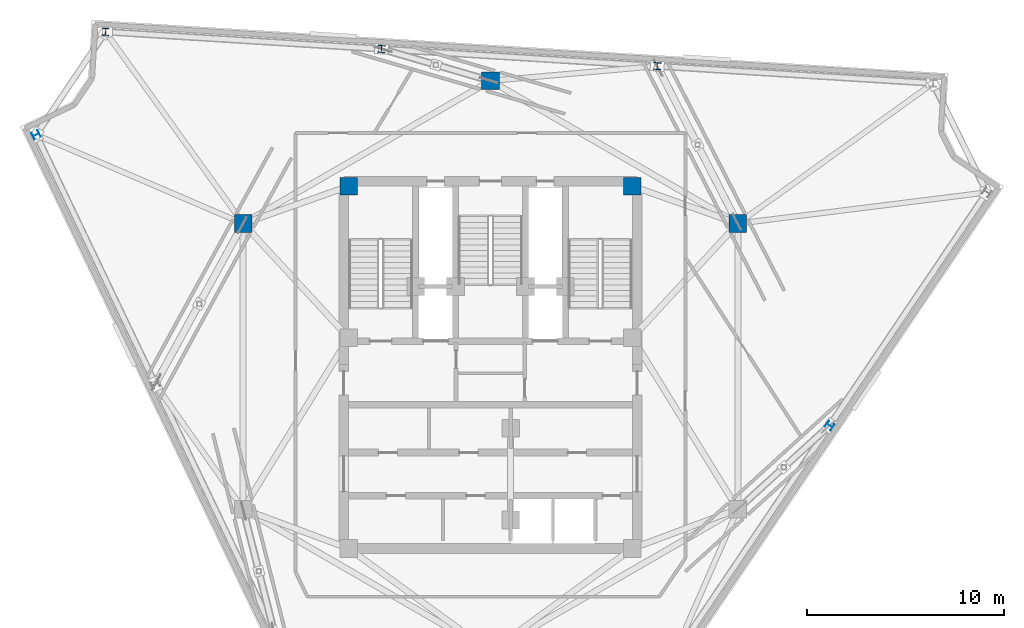
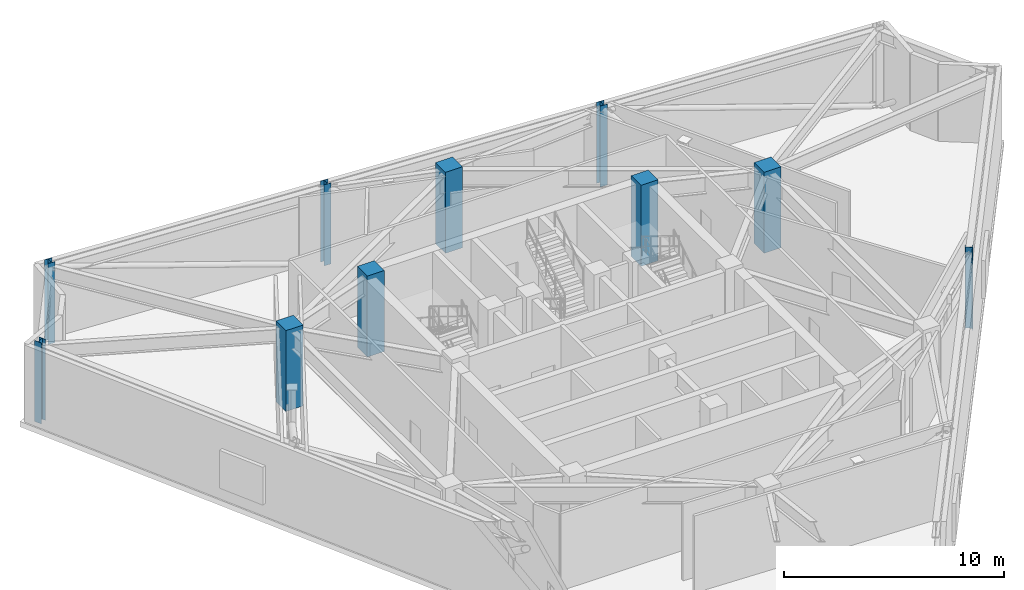
# One storey, part 2 of 11: 10 columns.
"""IFC4 building model written with IfcOpenShell, lengths in metres."""

from ifc_helpers import new_model, si_unit, direction, frame, origin, origin_2d, place, context, subcontext, project, spatial, rectangle, i_section, extrude, material, material_profile, profile_set, type_object, element, save


model = new_model("IFC4")

# Units and contexts
model_context = context("Model", 3, precision=1e-05, world=origin(), true_north=direction((0.0, 1.0)))
body_context = subcontext(model_context, "Body", "Model", "MODEL_VIEW")
ifc_project = project(units=[si_unit("LENGTHUNIT", "METRE"), si_unit("AREAUNIT", "SQUARE_METRE"), si_unit("VOLUMEUNIT", "CUBIC_METRE"), si_unit("PLANEANGLEUNIT", "RADIAN"), si_unit("MASSUNIT", "GRAM", prefix="KILO")], contexts=[model_context])

# Site, building, storey
site_placement = place(None, origin())
site = spatial("IfcSite", under=ifc_project, at=site_placement, CompositionType="ELEMENT")
building_placement = place(site_placement, origin())
building = spatial("IfcBuilding", under=site, at=building_placement, Name="Apsidion Concourse Tower", CompositionType="ELEMENT")
storey_placement = place(building_placement, frame((0.0, 0.0, 328.0)))
storey = spatial("IfcBuildingStorey", under=building, at=storey_placement, Name="L77", CompositionType="ELEMENT", Elevation=328.0)

# Columns
ifc_material_1 = material(Name="Concrete C50/60", Category="concrete")
ifc_material_profile_1 = material_profile(ifc_material_1, rectangle(XDim=0.89990234375, YDim=0.89990234375, at=origin_2d()), Name="RC 900x900")
ifc_profile_set_1 = profile_set([ifc_material_profile_1], Name="Concrete C50/60")
column_type_1 = type_object("IfcColumnType", Name="COL-RC-900", PredefinedType="COLUMN", material=ifc_profile_set_1)
for number, where, z_axis, x_axis, name in (
    (1, (7.199951171875, 9.14990234375, 0.0), (0.0, 0.0, 1.0), (1.0, 0.0, 0.0), "L77 Core Super-Column SC4"),
    (2, (-7.199951171875, 9.14990234375, 0.0), (0.0, 0.0, 1.0), (1.0, 0.0, 0.0), "L77 Core Super-Column SC5"),
    (3, (12.56005859375, 7.25, 0.0), (0.0, 0.0, 1.0), (1.0, 0.0, 0.0), "L77 Interior Spine Column IC3"),
    (4, (0.0, 14.5, 0.0), (0.0, 0.0, 1.0), (1.0, 0.0, 0.0), "L77 Interior Spine Column IC4"),
    (5, (-12.56005859375, 7.25, 0.0), (0.0, 0.0, 1.0), (1.0, 0.0, 0.0), "L77 Interior Spine Column IC5"),
):
    element("IfcColumn", number, at=place(storey_placement, frame(where, z_axis=z_axis, x_axis=x_axis)), inside=storey, type_object=column_type_1, Name=name, PredefinedType="COLUMN", context=body_context, shape_type="SweptSolid", body=[
        extrude(rectangle(XDim=0.89990234375, YDim=0.89990234375, at=origin_2d()), origin(), (0.0, 0.0, 1.0), 4.5),
    ])
ifc_material_2 = material(Name="Structural steel ASTM A992 Grade 50", Category="steel")
ifc_material_profile_2 = material_profile(ifc_material_2, i_section(OverallWidth=0.367919921875, OverallDepth=0.35595703125, WebThickness=0.01123046875, FlangeThickness=0.01806640625, at=origin_2d()), Name="W14X90")
ifc_profile_set_2 = profile_set([ifc_material_profile_2], Name="Structural steel ASTM A992 Grade 50")
column_type_2 = type_object("IfcColumnType", Name="COL-W14-90", PredefinedType="COLUMN", material=ifc_profile_set_2)
for number, where, z_axis, x_axis, name in (
    (6, (-23.0732421875, 11.758544921875, 0.0), (0.0, 0.0, 1.0), (-0.431298587031, 0.902209248913, 0.0), "L77 Rotated Perimeter Column PC01"),
    (7, (17.223876953125, -3.005615234375, 0.0), (0.0, 0.0, 1.0), (0.559192903471, 0.829037572555, 0.0), "L77 Rotated Perimeter Column PC07"),
    (8, (8.469482421875, 15.24853515625, 0.0), (0.0, 0.0, 1.0), (-0.998081143466, 0.061919553109, 0.0), "L77 Rotated Perimeter Column PC10"),
    (9, (-5.5380859375, 16.118408203125, 0.0), (0.0, 0.0, 1.0), (-0.998081143466, 0.061919553109, 0.0), "L77 Rotated Perimeter Column PC11"),
    (10, (-19.5458984375, 16.98828125, 0.0), (0.0, 0.0, 1.0), (-0.998081143466, 0.061919553109, 0.0), "L77 Rotated Perimeter Column PC12"),
):
    element("IfcColumn", number, at=place(storey_placement, frame(where, z_axis=z_axis, x_axis=x_axis)), inside=storey, type_object=column_type_2, Name=name, PredefinedType="COLUMN", context=body_context, shape_type="SweptSolid", body=[
        extrude(i_section(OverallWidth=0.367919921875, OverallDepth=0.35595703125, WebThickness=0.01123046875, FlangeThickness=0.01806640625, at=origin_2d()), origin(), (0.0, 0.0, 1.0), 4.5),
    ])

save(model, "model.ifc")
